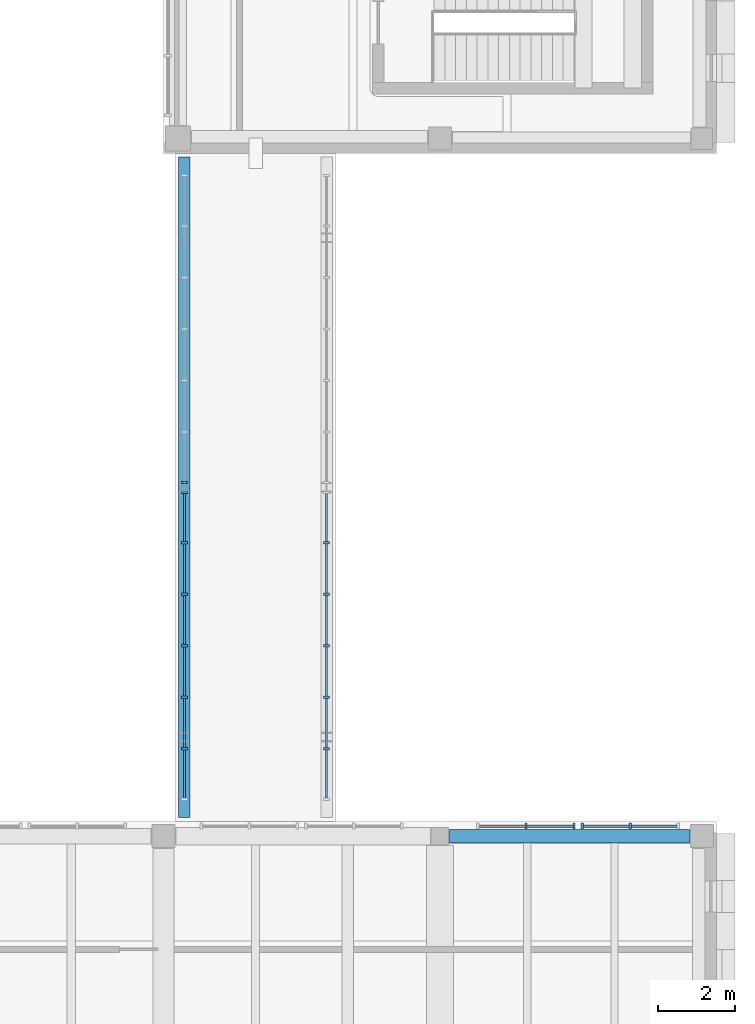
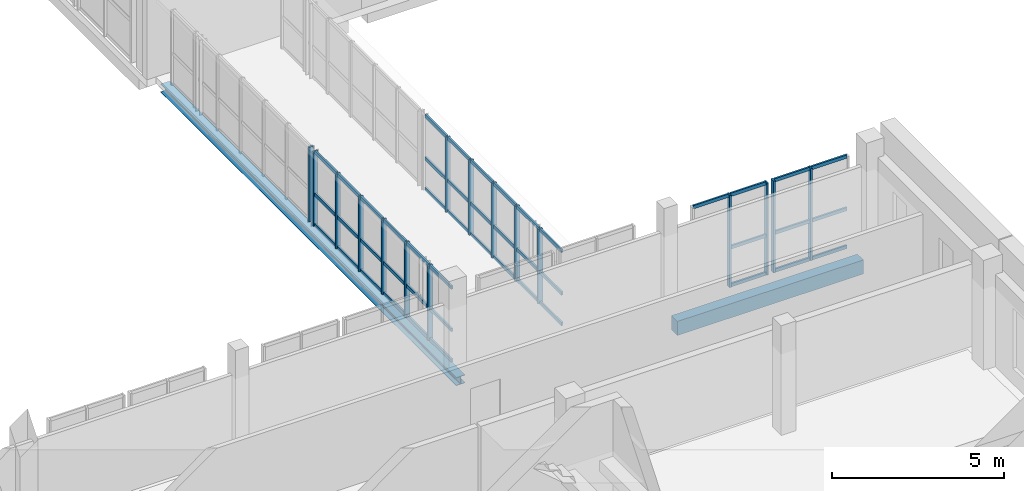
# One storey, part 31 of 76: 62 members, 2 beams, 5 elements without a shape of their own.
"""IFC4 building model written with IfcOpenShell, lengths in metres."""

from ifc_helpers import new_model, si_unit, direction, frame, origin, origin_2d, place, context, subcontext, project, spatial, rectangle, i_section, extrude, material, layer, layer_set, material_profile, profile_set, type_object, element, aggregate, save


model = new_model("IFC4")

# Units and contexts
model_context = context("Model", 3, precision=1e-05, world=origin(), true_north=direction((0.0, 1.0)))
body_context = subcontext(model_context, "Body", "Model", "MODEL_VIEW")
ifc_project = project(units=[si_unit("LENGTHUNIT", "METRE"), si_unit("AREAUNIT", "SQUARE_METRE"), si_unit("VOLUMEUNIT", "CUBIC_METRE"), si_unit("PLANEANGLEUNIT", "RADIAN"), si_unit("MASSUNIT", "GRAM", prefix="KILO")], contexts=[model_context])

# Site, building, storey
site_placement = place(None, origin())
site = spatial("IfcSite", under=ifc_project, at=site_placement, CompositionType="ELEMENT")
building_placement = place(site_placement, origin())
building = spatial("IfcBuilding", under=site, at=building_placement, Name="Vardoun Plaza Health Centre", CompositionType="ELEMENT")
storey_placement = place(building_placement, frame((0.0, 0.0, 4.5)))
storey = spatial("IfcBuildingStorey", under=building, at=storey_placement, Name="L01", CompositionType="ELEMENT", Elevation=4.5)

# Beams
ifc_material_1 = material(Name="Concrete C35/45", Category="concrete")
ifc_material_profile_1 = material_profile(ifc_material_1, rectangle(XDim=0.35009765625, YDim=0.5, at=origin_2d()), Name="RC-BM 350x500")
ifc_profile_set_1 = profile_set([ifc_material_profile_1], Name="Concrete C35/45")
beam_type_1 = type_object("IfcBeamType", Name="B-08", PredefinedType="SPANDREL", material=ifc_profile_set_1)
beam_1_placement = place(storey_placement, frame((158.35009765625, 18.52001953125, -0.544921875), z_axis=(1.0, 0.0, 0.0), x_axis=(0.0, 1.0, 0.0)))
element("IfcBeam", 1, at=beam_1_placement, inside=storey, type_object=beam_type_1, Name="V5 L01 Beam B-V5-L01-X24", PredefinedType="SPANDREL", context=body_context, shape_type="SweptSolid", body=[
    extrude(rectangle(XDim=0.35009765625, YDim=0.5, at=origin_2d()), origin(), (0.0, 0.0, 1.0), 6.244873046875),
])
ifc_material_2 = material(Name="Steel S355J2", Category="steel")
ifc_material_profile_2 = material_profile(ifc_material_2, i_section(OverallWidth=0.300048828125, OverallDepth=0.2900390625, WebThickness=0.008544921875, FlangeThickness=0.013916015625, FilletRadius=0.027099609375, at=origin_2d()), Name="HEA 300")
ifc_profile_set_2 = profile_set([ifc_material_profile_2], Name="Steel S355J2")
beam_type_2 = type_object("IfcBeamType", Name="SB-05", PredefinedType="BEAM", material=ifc_profile_set_2)
beam_2_placement = place(storey_placement, frame((151.449951171875, 19.0, -0.364990234375), z_axis=(0.0, 1.0, 0.0), x_axis=(-1.0, 0.0, 0.0)))
element("IfcBeam", 2, at=beam_2_placement, inside=storey, type_object=beam_type_2, Name="Bridge BR-05 Edge Steel Girder W", PredefinedType="BEAM", context=body_context, shape_type="SweptSolid", body=[
    extrude(i_section(OverallWidth=0.300048828125, OverallDepth=0.2900390625, WebThickness=0.008544921875, FlangeThickness=0.013916015625, FilletRadius=0.027099609375, at=origin_2d()), origin(), (0.0, 0.0, 1.0), 17.199951171875),
])

# Curtain wall, members
ifc_material_3 = material(Name="Aluminium Alloy EN AW-6063-T6 and Low-E Glass", Category="aluminium")
ifc_layer = layer(ifc_material_3, 0.14990234375)
ifc_layer_set = layer_set([ifc_layer], Name="Aluminium Alloy EN AW-6063-T6 and Low-E Glass")
curtain_wall_type = type_object("IfcCurtainWallType", Name="CW-03", PredefinedType="NOTDEFINED", material=ifc_layer_set)
curtain_wall_1_placement = place(storey_placement, origin())
curtain_wall_1 = element("IfcCurtainWall", 3, at=curtain_wall_1_placement, inside=storey, type_object=curtain_wall_type, Name="Curtain Wall CW-V5-163", PredefinedType="NOTDEFINED")
ifc_material_4 = material(Name="Aluminium Alloy EN AW-6063-T6", Category="aluminium")
ifc_material_profile_3 = material_profile(ifc_material_4, rectangle(XDim=0.159912109375, YDim=0.06005859375, at=origin_2d()), Name="CWM 60x160")
ifc_profile_set_3 = profile_set([ifc_material_profile_3], Name="Aluminium Alloy EN AW-6063-T6")
member_type_1 = type_object("IfcMemberType", Name="CW-M1", PredefinedType="MULLION", material=ifc_profile_set_3)
member_1_placement = place(storey_placement, frame((160.340087890625, 18.780029296875, 0.0), z_axis=(0.0, 0.0, 1.0), x_axis=(0.0, 1.0, 0.0)))
member_1 = element("IfcMember", 4, at=member_1_placement, type_object=member_type_1, Name="CW-V5-163 mullion 2", PredefinedType="MULLION", context=body_context, shape_type="SweptSolid", body=[
    extrude(rectangle(XDim=0.159912109375, YDim=0.06005859375, at=origin_2d()), origin(), (0.0, 0.0, 1.0), 3.27001953125),
])
member_2_placement = place(storey_placement, frame((161.590087890625, 18.780029296875, 0.0), z_axis=(0.0, 0.0, 1.0), x_axis=(0.0, 1.0, 0.0)))
member_2 = element("IfcMember", 5, at=member_2_placement, type_object=member_type_1, Name="CW-V5-163 mullion 3", PredefinedType="MULLION", context=body_context, shape_type="SweptSolid", body=[
    extrude(rectangle(XDim=0.159912109375, YDim=0.06005859375, at=origin_2d()), origin(), (0.0, 0.0, 1.0), 3.27001953125),
])

curtain_wall_2_placement = place(storey_placement, origin())
curtain_wall_2 = element("IfcCurtainWall", 6, at=curtain_wall_2_placement, inside=storey, type_object=curtain_wall_type, Name="Curtain Wall CW-V5-164", PredefinedType="NOTDEFINED")
member_3_placement = place(storey_placement, frame((161.81005859375, 18.780029296875, 0.0), z_axis=(0.0, 0.0, 1.0), x_axis=(0.0, 1.0, 0.0)))
member_3 = element("IfcMember", 7, at=member_3_placement, type_object=member_type_1, Name="CW-V5-164 mullion 1", PredefinedType="MULLION", context=body_context, shape_type="SweptSolid", body=[
    extrude(rectangle(XDim=0.159912109375, YDim=0.06005859375, at=origin_2d()), origin(), (0.0, 0.0, 1.0), 3.27001953125),
])
member_4_placement = place(storey_placement, frame((163.06005859375, 18.780029296875, 0.0), z_axis=(0.0, 0.0, 1.0), x_axis=(0.0, 1.0, 0.0)))
member_4 = element("IfcMember", 8, at=member_4_placement, type_object=member_type_1, Name="CW-V5-164 mullion 2", PredefinedType="MULLION", context=body_context, shape_type="SweptSolid", body=[
    extrude(rectangle(XDim=0.159912109375, YDim=0.06005859375, at=origin_2d()), origin(), (0.0, 0.0, 1.0), 3.27001953125),
])

curtain_wall_3_placement = place(storey_placement, origin())
curtain_wall_3 = element("IfcCurtainWall", 9, at=curtain_wall_3_placement, inside=storey, type_object=curtain_wall_type, Name="Curtain Wall CW-BR-5WS", PredefinedType="NOTDEFINED")
member_5_placement = place(storey_placement, frame((151.449951171875, 20.791748046875, 0.0), z_axis=(0.0, 0.0, 1.0), x_axis=(-1.0, 0.0, 0.0)))
member_5 = element("IfcMember", 10, at=member_5_placement, type_object=member_type_1, Name="CW-BR-5WS mullion 2", PredefinedType="MULLION", context=body_context, shape_type="SweptSolid", body=[
    extrude(rectangle(XDim=0.159912109375, YDim=0.06005859375, at=origin_2d()), origin(), (0.0, 0.0, 1.0), 2.64990234375),
])
member_6_placement = place(storey_placement, frame((151.449951171875, 22.13330078125, 0.0), z_axis=(0.0, 0.0, 1.0), x_axis=(-1.0, 0.0, 0.0)))
member_6 = element("IfcMember", 11, at=member_6_placement, type_object=member_type_1, Name="CW-BR-5WS mullion 3", PredefinedType="MULLION", context=body_context, shape_type="SweptSolid", body=[
    extrude(rectangle(XDim=0.159912109375, YDim=0.06005859375, at=origin_2d()), origin(), (0.0, 0.0, 1.0), 2.64990234375),
])
member_7_placement = place(storey_placement, frame((151.449951171875, 23.47509765625, 0.0), z_axis=(0.0, 0.0, 1.0), x_axis=(-1.0, 0.0, 0.0)))
member_7 = element("IfcMember", 12, at=member_7_placement, type_object=member_type_1, Name="CW-BR-5WS mullion 4", PredefinedType="MULLION", context=body_context, shape_type="SweptSolid", body=[
    extrude(rectangle(XDim=0.159912109375, YDim=0.06005859375, at=origin_2d()), origin(), (0.0, 0.0, 1.0), 2.64990234375),
])
member_8_placement = place(storey_placement, frame((151.449951171875, 24.81689453125, 0.0), z_axis=(0.0, 0.0, 1.0), x_axis=(-1.0, 0.0, 0.0)))
member_8 = element("IfcMember", 13, at=member_8_placement, type_object=member_type_1, Name="CW-BR-5WS mullion 5", PredefinedType="MULLION", context=body_context, shape_type="SweptSolid", body=[
    extrude(rectangle(XDim=0.159912109375, YDim=0.06005859375, at=origin_2d()), origin(), (0.0, 0.0, 1.0), 2.64990234375),
])
member_9_placement = place(storey_placement, frame((151.449951171875, 26.158447265625, 0.0), z_axis=(0.0, 0.0, 1.0), x_axis=(-1.0, 0.0, 0.0)))
member_9 = element("IfcMember", 14, at=member_9_placement, type_object=member_type_1, Name="CW-BR-5WS mullion 6", PredefinedType="MULLION", context=body_context, shape_type="SweptSolid", body=[
    extrude(rectangle(XDim=0.159912109375, YDim=0.06005859375, at=origin_2d()), origin(), (0.0, 0.0, 1.0), 2.64990234375),
])
member_10_placement = place(storey_placement, frame((151.449951171875, 27.469970703125, 0.0), z_axis=(0.0, 0.0, 1.0), x_axis=(-1.0, 0.0, 0.0)))
member_10 = element("IfcMember", 15, at=member_10_placement, type_object=member_type_1, Name="CW-BR-5WS mullion 7", PredefinedType="MULLION", context=body_context, shape_type="SweptSolid", body=[
    extrude(rectangle(XDim=0.159912109375, YDim=0.06005859375, at=origin_2d()), origin(), (0.0, 0.0, 1.0), 2.64990234375),
])

curtain_wall_4_placement = place(storey_placement, origin())
curtain_wall_4 = element("IfcCurtainWall", 16, at=curtain_wall_4_placement, inside=storey, type_object=curtain_wall_type, Name="Curtain Wall CW-BR-5ES", PredefinedType="NOTDEFINED")
member_11_placement = place(storey_placement, frame((155.14990234375, 26.158447265625, 0.0), z_axis=(0.0, 0.0, 1.0), x_axis=(1.0, 0.0, 0.0)))
member_11 = element("IfcMember", 17, at=member_11_placement, type_object=member_type_1, Name="CW-BR-5ES mullion 2", PredefinedType="MULLION", context=body_context, shape_type="SweptSolid", body=[
    extrude(rectangle(XDim=0.159912109375, YDim=0.06005859375, at=origin_2d()), origin(), (0.0, 0.0, 1.0), 2.64990234375),
])
member_12_placement = place(storey_placement, frame((155.14990234375, 24.81689453125, 0.0), z_axis=(0.0, 0.0, 1.0), x_axis=(1.0, 0.0, 0.0)))
member_12 = element("IfcMember", 18, at=member_12_placement, type_object=member_type_1, Name="CW-BR-5ES mullion 3", PredefinedType="MULLION", context=body_context, shape_type="SweptSolid", body=[
    extrude(rectangle(XDim=0.159912109375, YDim=0.06005859375, at=origin_2d()), origin(), (0.0, 0.0, 1.0), 2.64990234375),
])
member_13_placement = place(storey_placement, frame((155.14990234375, 23.47509765625, 0.0), z_axis=(0.0, 0.0, 1.0), x_axis=(1.0, 0.0, 0.0)))
member_13 = element("IfcMember", 19, at=member_13_placement, type_object=member_type_1, Name="CW-BR-5ES mullion 4", PredefinedType="MULLION", context=body_context, shape_type="SweptSolid", body=[
    extrude(rectangle(XDim=0.159912109375, YDim=0.06005859375, at=origin_2d()), origin(), (0.0, 0.0, 1.0), 2.64990234375),
])
member_14_placement = place(storey_placement, frame((155.14990234375, 22.13330078125, 0.0), z_axis=(0.0, 0.0, 1.0), x_axis=(1.0, 0.0, 0.0)))
member_14 = element("IfcMember", 20, at=member_14_placement, type_object=member_type_1, Name="CW-BR-5ES mullion 5", PredefinedType="MULLION", context=body_context, shape_type="SweptSolid", body=[
    extrude(rectangle(XDim=0.159912109375, YDim=0.06005859375, at=origin_2d()), origin(), (0.0, 0.0, 1.0), 2.64990234375),
])
member_15_placement = place(storey_placement, frame((155.14990234375, 20.791748046875, 0.0), z_axis=(0.0, 0.0, 1.0), x_axis=(1.0, 0.0, 0.0)))
member_15 = element("IfcMember", 21, at=member_15_placement, type_object=member_type_1, Name="CW-BR-5ES mullion 6", PredefinedType="MULLION", context=body_context, shape_type="SweptSolid", body=[
    extrude(rectangle(XDim=0.159912109375, YDim=0.06005859375, at=origin_2d()), origin(), (0.0, 0.0, 1.0), 2.64990234375),
])

# Curtain wall, member
curtain_wall_5_placement = place(storey_placement, origin())
curtain_wall_5 = element("IfcCurtainWall", 22, at=curtain_wall_5_placement, inside=storey, type_object=curtain_wall_type, Name="Curtain Wall CW-BR-5WN", PredefinedType="NOTDEFINED")
member_16_placement = place(storey_placement, frame((151.449951171875, 27.72998046875, 0.0), z_axis=(0.0, 0.0, 1.0), x_axis=(-1.0, 0.0, 0.0)))
member_16 = element("IfcMember", 23, at=member_16_placement, type_object=member_type_1, Name="CW-BR-5WN mullion 1", PredefinedType="MULLION", context=body_context, shape_type="SweptSolid", body=[
    extrude(rectangle(XDim=0.159912109375, YDim=0.06005859375, at=origin_2d()), origin(), (0.0, 0.0, 1.0), 2.64990234375),
])
aggregate(curtain_wall_5, [member_16])

# Member
ifc_material_5 = material(Name="Aluminium Alloy EN AW-6063-T6", Category="aluminium")
ifc_material_profile_4 = material_profile(ifc_material_5, rectangle(XDim=0.06005859375, YDim=0.1201171875, at=origin_2d()), Name="CWT 60x120")
ifc_profile_set_4 = profile_set([ifc_material_profile_4], Name="Aluminium Alloy EN AW-6063-T6")
member_type_2 = type_object("IfcMemberType", Name="CW-T1", PredefinedType="USERDEFINED", material=ifc_profile_set_4)
member_17_placement = place(storey_placement, frame((159.1201171875, 18.780029296875, 3.239990234375), z_axis=(1.0, 0.0, 0.0), x_axis=(0.0, 1.0, 0.0)))
member_17 = element("IfcMember", 24, at=member_17_placement, type_object=member_type_2, Name="CW-V5-163 transom 1.3", ObjectType="TRANSOM", PredefinedType="USERDEFINED", context=body_context, shape_type="SweptSolid", body=[
    extrude(rectangle(XDim=0.06005859375, YDim=0.1201171875, at=origin_2d()), origin(), (0.0, 0.0, 1.0), 1.18994140625),
])

member_18_placement = place(storey_placement, frame((160.3701171875, 18.780029296875, 0.030029296875), z_axis=(1.0, 0.0, 0.0), x_axis=(0.0, 1.0, 0.0)))
member_18 = element("IfcMember", 25, at=member_18_placement, type_object=member_type_2, Name="CW-V5-163 transom 2.1", ObjectType="TRANSOM", PredefinedType="USERDEFINED", context=body_context, shape_type="SweptSolid", body=[
    extrude(rectangle(XDim=0.06005859375, YDim=0.1201171875, at=origin_2d()), origin(), (0.0, 0.0, 1.0), 1.18994140625),
])

member_19_placement = place(storey_placement, frame((160.3701171875, 18.780029296875, 1.373291015625), z_axis=(1.0, 0.0, 0.0), x_axis=(0.0, 1.0, 0.0)))
member_19 = element("IfcMember", 26, at=member_19_placement, type_object=member_type_2, Name="CW-V5-163 transom 2.2", ObjectType="TRANSOM", PredefinedType="USERDEFINED", context=body_context, shape_type="SweptSolid", body=[
    extrude(rectangle(XDim=0.06005859375, YDim=0.1201171875, at=origin_2d()), origin(), (0.0, 0.0, 1.0), 1.18994140625),
])

member_20_placement = place(storey_placement, frame((160.3701171875, 18.780029296875, 3.239990234375), z_axis=(1.0, 0.0, 0.0), x_axis=(0.0, 1.0, 0.0)))
member_20 = element("IfcMember", 27, at=member_20_placement, type_object=member_type_2, Name="CW-V5-163 transom 2.3", ObjectType="TRANSOM", PredefinedType="USERDEFINED", context=body_context, shape_type="SweptSolid", body=[
    extrude(rectangle(XDim=0.06005859375, YDim=0.1201171875, at=origin_2d()), origin(), (0.0, 0.0, 1.0), 1.18994140625),
])

aggregate(curtain_wall_1, [member_1, member_2, member_17, member_18, member_19, member_20])

member_21_placement = place(storey_placement, frame((161.840087890625, 18.780029296875, 0.030029296875), z_axis=(1.0, 0.0, 0.0), x_axis=(0.0, 1.0, 0.0)))
member_21 = element("IfcMember", 28, at=member_21_placement, type_object=member_type_2, Name="CW-V5-164 transom 1.1", ObjectType="TRANSOM", PredefinedType="USERDEFINED", context=body_context, shape_type="SweptSolid", body=[
    extrude(rectangle(XDim=0.06005859375, YDim=0.1201171875, at=origin_2d()), origin(), (0.0, 0.0, 1.0), 1.18994140625),
])

member_22_placement = place(storey_placement, frame((161.840087890625, 18.780029296875, 1.373291015625), z_axis=(1.0, 0.0, 0.0), x_axis=(0.0, 1.0, 0.0)))
member_22 = element("IfcMember", 29, at=member_22_placement, type_object=member_type_2, Name="CW-V5-164 transom 1.2", ObjectType="TRANSOM", PredefinedType="USERDEFINED", context=body_context, shape_type="SweptSolid", body=[
    extrude(rectangle(XDim=0.06005859375, YDim=0.1201171875, at=origin_2d()), origin(), (0.0, 0.0, 1.0), 1.18994140625),
])

member_23_placement = place(storey_placement, frame((161.840087890625, 18.780029296875, 3.239990234375), z_axis=(1.0, 0.0, 0.0), x_axis=(0.0, 1.0, 0.0)))
member_23 = element("IfcMember", 30, at=member_23_placement, type_object=member_type_2, Name="CW-V5-164 transom 1.3", ObjectType="TRANSOM", PredefinedType="USERDEFINED", context=body_context, shape_type="SweptSolid", body=[
    extrude(rectangle(XDim=0.06005859375, YDim=0.1201171875, at=origin_2d()), origin(), (0.0, 0.0, 1.0), 1.18994140625),
])

member_24_placement = place(storey_placement, frame((163.090087890625, 18.780029296875, 0.030029296875), z_axis=(1.0, 0.0, 0.0), x_axis=(0.0, 1.0, 0.0)))
member_24 = element("IfcMember", 31, at=member_24_placement, type_object=member_type_2, Name="CW-V5-164 transom 2.1", ObjectType="TRANSOM", PredefinedType="USERDEFINED", context=body_context, shape_type="SweptSolid", body=[
    extrude(rectangle(XDim=0.06005859375, YDim=0.1201171875, at=origin_2d()), origin(), (0.0, 0.0, 1.0), 1.18994140625),
])

member_25_placement = place(storey_placement, frame((163.090087890625, 18.780029296875, 1.373291015625), z_axis=(1.0, 0.0, 0.0), x_axis=(0.0, 1.0, 0.0)))
member_25 = element("IfcMember", 32, at=member_25_placement, type_object=member_type_2, Name="CW-V5-164 transom 2.2", ObjectType="TRANSOM", PredefinedType="USERDEFINED", context=body_context, shape_type="SweptSolid", body=[
    extrude(rectangle(XDim=0.06005859375, YDim=0.1201171875, at=origin_2d()), origin(), (0.0, 0.0, 1.0), 1.18994140625),
])

member_26_placement = place(storey_placement, frame((163.090087890625, 18.780029296875, 3.239990234375), z_axis=(1.0, 0.0, 0.0), x_axis=(0.0, 1.0, 0.0)))
member_26 = element("IfcMember", 33, at=member_26_placement, type_object=member_type_2, Name="CW-V5-164 transom 2.3", ObjectType="TRANSOM", PredefinedType="USERDEFINED", context=body_context, shape_type="SweptSolid", body=[
    extrude(rectangle(XDim=0.06005859375, YDim=0.1201171875, at=origin_2d()), origin(), (0.0, 0.0, 1.0), 1.18994140625),
])

aggregate(curtain_wall_2, [member_3, member_4, member_21, member_22, member_23, member_24, member_25, member_26])

member_27_placement = place(storey_placement, frame((151.449951171875, 19.510009765625, 0.030029296875), z_axis=(0.0, 1.0, 0.0), x_axis=(-1.0, 0.0, 0.0)))
member_27 = element("IfcMember", 34, at=member_27_placement, type_object=member_type_2, Name="CW-BR-5WS transom 1.1", ObjectType="TRANSOM", PredefinedType="USERDEFINED", context=body_context, shape_type="SweptSolid", body=[
    extrude(rectangle(XDim=0.06005859375, YDim=0.1201171875, at=origin_2d()), origin(), (0.0, 0.0, 1.0), 1.251708984375),
])

member_28_placement = place(storey_placement, frame((151.449951171875, 19.510009765625, 1.113037109375), z_axis=(0.0, 1.0, 0.0), x_axis=(-1.0, 0.0, 0.0)))
member_28 = element("IfcMember", 35, at=member_28_placement, type_object=member_type_2, Name="CW-BR-5WS transom 1.2", ObjectType="TRANSOM", PredefinedType="USERDEFINED", context=body_context, shape_type="SweptSolid", body=[
    extrude(rectangle(XDim=0.06005859375, YDim=0.1201171875, at=origin_2d()), origin(), (0.0, 0.0, 1.0), 1.251708984375),
])

member_29_placement = place(storey_placement, frame((151.449951171875, 19.510009765625, 2.6201171875), z_axis=(0.0, 1.0, 0.0), x_axis=(-1.0, 0.0, 0.0)))
member_29 = element("IfcMember", 36, at=member_29_placement, type_object=member_type_2, Name="CW-BR-5WS transom 1.3", ObjectType="TRANSOM", PredefinedType="USERDEFINED", context=body_context, shape_type="SweptSolid", body=[
    extrude(rectangle(XDim=0.06005859375, YDim=0.1201171875, at=origin_2d()), origin(), (0.0, 0.0, 1.0), 1.251708984375),
])

member_30_placement = place(storey_placement, frame((151.449951171875, 20.82177734375, 0.030029296875), z_axis=(0.0, 1.0, 0.0), x_axis=(-1.0, 0.0, 0.0)))
member_30 = element("IfcMember", 37, at=member_30_placement, type_object=member_type_2, Name="CW-BR-5WS transom 2.1", ObjectType="TRANSOM", PredefinedType="USERDEFINED", context=body_context, shape_type="SweptSolid", body=[
    extrude(rectangle(XDim=0.06005859375, YDim=0.1201171875, at=origin_2d()), origin(), (0.0, 0.0, 1.0), 1.28173828125),
])

member_31_placement = place(storey_placement, frame((151.449951171875, 20.82177734375, 1.113037109375), z_axis=(0.0, 1.0, 0.0), x_axis=(-1.0, 0.0, 0.0)))
member_31 = element("IfcMember", 38, at=member_31_placement, type_object=member_type_2, Name="CW-BR-5WS transom 2.2", ObjectType="TRANSOM", PredefinedType="USERDEFINED", context=body_context, shape_type="SweptSolid", body=[
    extrude(rectangle(XDim=0.06005859375, YDim=0.1201171875, at=origin_2d()), origin(), (0.0, 0.0, 1.0), 1.28173828125),
])

member_32_placement = place(storey_placement, frame((151.449951171875, 20.82177734375, 2.6201171875), z_axis=(0.0, 1.0, 0.0), x_axis=(-1.0, 0.0, 0.0)))
member_32 = element("IfcMember", 39, at=member_32_placement, type_object=member_type_2, Name="CW-BR-5WS transom 2.3", ObjectType="TRANSOM", PredefinedType="USERDEFINED", context=body_context, shape_type="SweptSolid", body=[
    extrude(rectangle(XDim=0.06005859375, YDim=0.1201171875, at=origin_2d()), origin(), (0.0, 0.0, 1.0), 1.28173828125),
])

member_33_placement = place(storey_placement, frame((151.449951171875, 22.163330078125, 0.030029296875), z_axis=(0.0, 1.0, 0.0), x_axis=(-1.0, 0.0, 0.0)))
member_33 = element("IfcMember", 40, at=member_33_placement, type_object=member_type_2, Name="CW-BR-5WS transom 3.1", ObjectType="TRANSOM", PredefinedType="USERDEFINED", context=body_context, shape_type="SweptSolid", body=[
    extrude(rectangle(XDim=0.06005859375, YDim=0.1201171875, at=origin_2d()), origin(), (0.0, 0.0, 1.0), 1.28173828125),
])

member_34_placement = place(storey_placement, frame((151.449951171875, 22.163330078125, 1.113037109375), z_axis=(0.0, 1.0, 0.0), x_axis=(-1.0, 0.0, 0.0)))
member_34 = element("IfcMember", 41, at=member_34_placement, type_object=member_type_2, Name="CW-BR-5WS transom 3.2", ObjectType="TRANSOM", PredefinedType="USERDEFINED", context=body_context, shape_type="SweptSolid", body=[
    extrude(rectangle(XDim=0.06005859375, YDim=0.1201171875, at=origin_2d()), origin(), (0.0, 0.0, 1.0), 1.28173828125),
])

member_35_placement = place(storey_placement, frame((151.449951171875, 22.163330078125, 2.6201171875), z_axis=(0.0, 1.0, 0.0), x_axis=(-1.0, 0.0, 0.0)))
member_35 = element("IfcMember", 42, at=member_35_placement, type_object=member_type_2, Name="CW-BR-5WS transom 3.3", ObjectType="TRANSOM", PredefinedType="USERDEFINED", context=body_context, shape_type="SweptSolid", body=[
    extrude(rectangle(XDim=0.06005859375, YDim=0.1201171875, at=origin_2d()), origin(), (0.0, 0.0, 1.0), 1.28173828125),
])

member_36_placement = place(storey_placement, frame((151.449951171875, 23.5048828125, 0.030029296875), z_axis=(0.0, 1.0, 0.0), x_axis=(-1.0, 0.0, 0.0)))
member_36 = element("IfcMember", 43, at=member_36_placement, type_object=member_type_2, Name="CW-BR-5WS transom 4.1", ObjectType="TRANSOM", PredefinedType="USERDEFINED", context=body_context, shape_type="SweptSolid", body=[
    extrude(rectangle(XDim=0.06005859375, YDim=0.1201171875, at=origin_2d()), origin(), (0.0, 0.0, 1.0), 1.28173828125),
])

member_37_placement = place(storey_placement, frame((151.449951171875, 23.5048828125, 1.113037109375), z_axis=(0.0, 1.0, 0.0), x_axis=(-1.0, 0.0, 0.0)))
member_37 = element("IfcMember", 44, at=member_37_placement, type_object=member_type_2, Name="CW-BR-5WS transom 4.2", ObjectType="TRANSOM", PredefinedType="USERDEFINED", context=body_context, shape_type="SweptSolid", body=[
    extrude(rectangle(XDim=0.06005859375, YDim=0.1201171875, at=origin_2d()), origin(), (0.0, 0.0, 1.0), 1.28173828125),
])

member_38_placement = place(storey_placement, frame((151.449951171875, 23.5048828125, 2.6201171875), z_axis=(0.0, 1.0, 0.0), x_axis=(-1.0, 0.0, 0.0)))
member_38 = element("IfcMember", 45, at=member_38_placement, type_object=member_type_2, Name="CW-BR-5WS transom 4.3", ObjectType="TRANSOM", PredefinedType="USERDEFINED", context=body_context, shape_type="SweptSolid", body=[
    extrude(rectangle(XDim=0.06005859375, YDim=0.1201171875, at=origin_2d()), origin(), (0.0, 0.0, 1.0), 1.28173828125),
])

member_39_placement = place(storey_placement, frame((151.449951171875, 24.8466796875, 0.030029296875), z_axis=(0.0, 1.0, 0.0), x_axis=(-1.0, 0.0, 0.0)))
member_39 = element("IfcMember", 46, at=member_39_placement, type_object=member_type_2, Name="CW-BR-5WS transom 5.1", ObjectType="TRANSOM", PredefinedType="USERDEFINED", context=body_context, shape_type="SweptSolid", body=[
    extrude(rectangle(XDim=0.06005859375, YDim=0.1201171875, at=origin_2d()), origin(), (0.0, 0.0, 1.0), 1.28173828125),
])

member_40_placement = place(storey_placement, frame((151.449951171875, 24.8466796875, 1.113037109375), z_axis=(0.0, 1.0, 0.0), x_axis=(-1.0, 0.0, 0.0)))
member_40 = element("IfcMember", 47, at=member_40_placement, type_object=member_type_2, Name="CW-BR-5WS transom 5.2", ObjectType="TRANSOM", PredefinedType="USERDEFINED", context=body_context, shape_type="SweptSolid", body=[
    extrude(rectangle(XDim=0.06005859375, YDim=0.1201171875, at=origin_2d()), origin(), (0.0, 0.0, 1.0), 1.28173828125),
])

member_41_placement = place(storey_placement, frame((151.449951171875, 24.8466796875, 2.6201171875), z_axis=(0.0, 1.0, 0.0), x_axis=(-1.0, 0.0, 0.0)))
member_41 = element("IfcMember", 48, at=member_41_placement, type_object=member_type_2, Name="CW-BR-5WS transom 5.3", ObjectType="TRANSOM", PredefinedType="USERDEFINED", context=body_context, shape_type="SweptSolid", body=[
    extrude(rectangle(XDim=0.06005859375, YDim=0.1201171875, at=origin_2d()), origin(), (0.0, 0.0, 1.0), 1.28173828125),
])

member_42_placement = place(storey_placement, frame((151.449951171875, 26.1884765625, 0.030029296875), z_axis=(0.0, 1.0, 0.0), x_axis=(-1.0, 0.0, 0.0)))
member_42 = element("IfcMember", 49, at=member_42_placement, type_object=member_type_2, Name="CW-BR-5WS transom 6.1", ObjectType="TRANSOM", PredefinedType="USERDEFINED", context=body_context, shape_type="SweptSolid", body=[
    extrude(rectangle(XDim=0.06005859375, YDim=0.1201171875, at=origin_2d()), origin(), (0.0, 0.0, 1.0), 1.251708984375),
])

member_43_placement = place(storey_placement, frame((151.449951171875, 26.1884765625, 1.113037109375), z_axis=(0.0, 1.0, 0.0), x_axis=(-1.0, 0.0, 0.0)))
member_43 = element("IfcMember", 50, at=member_43_placement, type_object=member_type_2, Name="CW-BR-5WS transom 6.2", ObjectType="TRANSOM", PredefinedType="USERDEFINED", context=body_context, shape_type="SweptSolid", body=[
    extrude(rectangle(XDim=0.06005859375, YDim=0.1201171875, at=origin_2d()), origin(), (0.0, 0.0, 1.0), 1.251708984375),
])

member_44_placement = place(storey_placement, frame((151.449951171875, 26.1884765625, 2.6201171875), z_axis=(0.0, 1.0, 0.0), x_axis=(-1.0, 0.0, 0.0)))
member_44 = element("IfcMember", 51, at=member_44_placement, type_object=member_type_2, Name="CW-BR-5WS transom 6.3", ObjectType="TRANSOM", PredefinedType="USERDEFINED", context=body_context, shape_type="SweptSolid", body=[
    extrude(rectangle(XDim=0.06005859375, YDim=0.1201171875, at=origin_2d()), origin(), (0.0, 0.0, 1.0), 1.251708984375),
])

aggregate(curtain_wall_3, [member_5, member_6, member_7, member_8, member_9, member_10, member_27, member_28, member_29, member_30, member_31, member_32, member_33, member_34, member_35, member_36, member_37, member_38, member_39, member_40, member_41, member_42, member_43, member_44])

member_45_placement = place(storey_placement, frame((155.14990234375, 27.440185546875, 0.030029296875), z_axis=(0.0, -1.0, 0.0), x_axis=(1.0, 0.0, 0.0)))
member_45 = element("IfcMember", 52, at=member_45_placement, type_object=member_type_2, Name="CW-BR-5ES transom 1.1", ObjectType="TRANSOM", PredefinedType="USERDEFINED", context=body_context, shape_type="SweptSolid", body=[
    extrude(rectangle(XDim=0.06005859375, YDim=0.1201171875, at=origin_2d()), origin(), (0.0, 0.0, 1.0), 1.251708984375),
])

member_46_placement = place(storey_placement, frame((155.14990234375, 27.440185546875, 1.113037109375), z_axis=(0.0, -1.0, 0.0), x_axis=(1.0, 0.0, 0.0)))
member_46 = element("IfcMember", 53, at=member_46_placement, type_object=member_type_2, Name="CW-BR-5ES transom 1.2", ObjectType="TRANSOM", PredefinedType="USERDEFINED", context=body_context, shape_type="SweptSolid", body=[
    extrude(rectangle(XDim=0.06005859375, YDim=0.1201171875, at=origin_2d()), origin(), (0.0, 0.0, 1.0), 1.251708984375),
])

member_47_placement = place(storey_placement, frame((155.14990234375, 27.440185546875, 2.6201171875), z_axis=(0.0, -1.0, 0.0), x_axis=(1.0, 0.0, 0.0)))
member_47 = element("IfcMember", 54, at=member_47_placement, type_object=member_type_2, Name="CW-BR-5ES transom 1.3", ObjectType="TRANSOM", PredefinedType="USERDEFINED", context=body_context, shape_type="SweptSolid", body=[
    extrude(rectangle(XDim=0.06005859375, YDim=0.1201171875, at=origin_2d()), origin(), (0.0, 0.0, 1.0), 1.251708984375),
])

member_48_placement = place(storey_placement, frame((155.14990234375, 26.12841796875, 0.030029296875), z_axis=(0.0, -1.0, 0.0), x_axis=(1.0, 0.0, 0.0)))
member_48 = element("IfcMember", 55, at=member_48_placement, type_object=member_type_2, Name="CW-BR-5ES transom 2.1", ObjectType="TRANSOM", PredefinedType="USERDEFINED", context=body_context, shape_type="SweptSolid", body=[
    extrude(rectangle(XDim=0.06005859375, YDim=0.1201171875, at=origin_2d()), origin(), (0.0, 0.0, 1.0), 1.28173828125),
])

member_49_placement = place(storey_placement, frame((155.14990234375, 26.12841796875, 1.113037109375), z_axis=(0.0, -1.0, 0.0), x_axis=(1.0, 0.0, 0.0)))
member_49 = element("IfcMember", 56, at=member_49_placement, type_object=member_type_2, Name="CW-BR-5ES transom 2.2", ObjectType="TRANSOM", PredefinedType="USERDEFINED", context=body_context, shape_type="SweptSolid", body=[
    extrude(rectangle(XDim=0.06005859375, YDim=0.1201171875, at=origin_2d()), origin(), (0.0, 0.0, 1.0), 1.28173828125),
])

member_50_placement = place(storey_placement, frame((155.14990234375, 26.12841796875, 2.6201171875), z_axis=(0.0, -1.0, 0.0), x_axis=(1.0, 0.0, 0.0)))
member_50 = element("IfcMember", 57, at=member_50_placement, type_object=member_type_2, Name="CW-BR-5ES transom 2.3", ObjectType="TRANSOM", PredefinedType="USERDEFINED", context=body_context, shape_type="SweptSolid", body=[
    extrude(rectangle(XDim=0.06005859375, YDim=0.1201171875, at=origin_2d()), origin(), (0.0, 0.0, 1.0), 1.28173828125),
])

member_51_placement = place(storey_placement, frame((155.14990234375, 24.78662109375, 0.030029296875), z_axis=(0.0, -1.0, 0.0), x_axis=(1.0, 0.0, 0.0)))
member_51 = element("IfcMember", 58, at=member_51_placement, type_object=member_type_2, Name="CW-BR-5ES transom 3.1", ObjectType="TRANSOM", PredefinedType="USERDEFINED", context=body_context, shape_type="SweptSolid", body=[
    extrude(rectangle(XDim=0.06005859375, YDim=0.1201171875, at=origin_2d()), origin(), (0.0, 0.0, 1.0), 1.28173828125),
])

member_52_placement = place(storey_placement, frame((155.14990234375, 24.78662109375, 1.113037109375), z_axis=(0.0, -1.0, 0.0), x_axis=(1.0, 0.0, 0.0)))
member_52 = element("IfcMember", 59, at=member_52_placement, type_object=member_type_2, Name="CW-BR-5ES transom 3.2", ObjectType="TRANSOM", PredefinedType="USERDEFINED", context=body_context, shape_type="SweptSolid", body=[
    extrude(rectangle(XDim=0.06005859375, YDim=0.1201171875, at=origin_2d()), origin(), (0.0, 0.0, 1.0), 1.28173828125),
])

member_53_placement = place(storey_placement, frame((155.14990234375, 24.78662109375, 2.6201171875), z_axis=(0.0, -1.0, 0.0), x_axis=(1.0, 0.0, 0.0)))
member_53 = element("IfcMember", 60, at=member_53_placement, type_object=member_type_2, Name="CW-BR-5ES transom 3.3", ObjectType="TRANSOM", PredefinedType="USERDEFINED", context=body_context, shape_type="SweptSolid", body=[
    extrude(rectangle(XDim=0.06005859375, YDim=0.1201171875, at=origin_2d()), origin(), (0.0, 0.0, 1.0), 1.28173828125),
])

member_54_placement = place(storey_placement, frame((155.14990234375, 23.445068359375, 0.030029296875), z_axis=(0.0, -1.0, 0.0), x_axis=(1.0, 0.0, 0.0)))
member_54 = element("IfcMember", 61, at=member_54_placement, type_object=member_type_2, Name="CW-BR-5ES transom 4.1", ObjectType="TRANSOM", PredefinedType="USERDEFINED", context=body_context, shape_type="SweptSolid", body=[
    extrude(rectangle(XDim=0.06005859375, YDim=0.1201171875, at=origin_2d()), origin(), (0.0, 0.0, 1.0), 1.28173828125),
])

member_55_placement = place(storey_placement, frame((155.14990234375, 23.445068359375, 1.113037109375), z_axis=(0.0, -1.0, 0.0), x_axis=(1.0, 0.0, 0.0)))
member_55 = element("IfcMember", 62, at=member_55_placement, type_object=member_type_2, Name="CW-BR-5ES transom 4.2", ObjectType="TRANSOM", PredefinedType="USERDEFINED", context=body_context, shape_type="SweptSolid", body=[
    extrude(rectangle(XDim=0.06005859375, YDim=0.1201171875, at=origin_2d()), origin(), (0.0, 0.0, 1.0), 1.28173828125),
])

member_56_placement = place(storey_placement, frame((155.14990234375, 23.445068359375, 2.6201171875), z_axis=(0.0, -1.0, 0.0), x_axis=(1.0, 0.0, 0.0)))
member_56 = element("IfcMember", 63, at=member_56_placement, type_object=member_type_2, Name="CW-BR-5ES transom 4.3", ObjectType="TRANSOM", PredefinedType="USERDEFINED", context=body_context, shape_type="SweptSolid", body=[
    extrude(rectangle(XDim=0.06005859375, YDim=0.1201171875, at=origin_2d()), origin(), (0.0, 0.0, 1.0), 1.28173828125),
])

member_57_placement = place(storey_placement, frame((155.14990234375, 22.103515625, 0.030029296875), z_axis=(0.0, -1.0, 0.0), x_axis=(1.0, 0.0, 0.0)))
member_57 = element("IfcMember", 64, at=member_57_placement, type_object=member_type_2, Name="CW-BR-5ES transom 5.1", ObjectType="TRANSOM", PredefinedType="USERDEFINED", context=body_context, shape_type="SweptSolid", body=[
    extrude(rectangle(XDim=0.06005859375, YDim=0.1201171875, at=origin_2d()), origin(), (0.0, 0.0, 1.0), 1.28173828125),
])

member_58_placement = place(storey_placement, frame((155.14990234375, 22.103515625, 1.113037109375), z_axis=(0.0, -1.0, 0.0), x_axis=(1.0, 0.0, 0.0)))
member_58 = element("IfcMember", 65, at=member_58_placement, type_object=member_type_2, Name="CW-BR-5ES transom 5.2", ObjectType="TRANSOM", PredefinedType="USERDEFINED", context=body_context, shape_type="SweptSolid", body=[
    extrude(rectangle(XDim=0.06005859375, YDim=0.1201171875, at=origin_2d()), origin(), (0.0, 0.0, 1.0), 1.28173828125),
])

member_59_placement = place(storey_placement, frame((155.14990234375, 22.103515625, 2.6201171875), z_axis=(0.0, -1.0, 0.0), x_axis=(1.0, 0.0, 0.0)))
member_59 = element("IfcMember", 66, at=member_59_placement, type_object=member_type_2, Name="CW-BR-5ES transom 5.3", ObjectType="TRANSOM", PredefinedType="USERDEFINED", context=body_context, shape_type="SweptSolid", body=[
    extrude(rectangle(XDim=0.06005859375, YDim=0.1201171875, at=origin_2d()), origin(), (0.0, 0.0, 1.0), 1.28173828125),
])

member_60_placement = place(storey_placement, frame((155.14990234375, 20.76171875, 0.030029296875), z_axis=(0.0, -1.0, 0.0), x_axis=(1.0, 0.0, 0.0)))
member_60 = element("IfcMember", 67, at=member_60_placement, type_object=member_type_2, Name="CW-BR-5ES transom 6.1", ObjectType="TRANSOM", PredefinedType="USERDEFINED", context=body_context, shape_type="SweptSolid", body=[
    extrude(rectangle(XDim=0.06005859375, YDim=0.1201171875, at=origin_2d()), origin(), (0.0, 0.0, 1.0), 1.251708984375),
])

member_61_placement = place(storey_placement, frame((155.14990234375, 20.76171875, 1.113037109375), z_axis=(0.0, -1.0, 0.0), x_axis=(1.0, 0.0, 0.0)))
member_61 = element("IfcMember", 68, at=member_61_placement, type_object=member_type_2, Name="CW-BR-5ES transom 6.2", ObjectType="TRANSOM", PredefinedType="USERDEFINED", context=body_context, shape_type="SweptSolid", body=[
    extrude(rectangle(XDim=0.06005859375, YDim=0.1201171875, at=origin_2d()), origin(), (0.0, 0.0, 1.0), 1.251708984375),
])

member_62_placement = place(storey_placement, frame((155.14990234375, 20.76171875, 2.6201171875), z_axis=(0.0, -1.0, 0.0), x_axis=(1.0, 0.0, 0.0)))
member_62 = element("IfcMember", 69, at=member_62_placement, type_object=member_type_2, Name="CW-BR-5ES transom 6.3", ObjectType="TRANSOM", PredefinedType="USERDEFINED", context=body_context, shape_type="SweptSolid", body=[
    extrude(rectangle(XDim=0.06005859375, YDim=0.1201171875, at=origin_2d()), origin(), (0.0, 0.0, 1.0), 1.251708984375),
])

aggregate(curtain_wall_4, [member_11, member_12, member_13, member_14, member_15, member_45, member_46, member_47, member_48, member_49, member_50, member_51, member_52, member_53, member_54, member_55, member_56, member_57, member_58, member_59, member_60, member_61, member_62])

save(model, "model.ifc")
